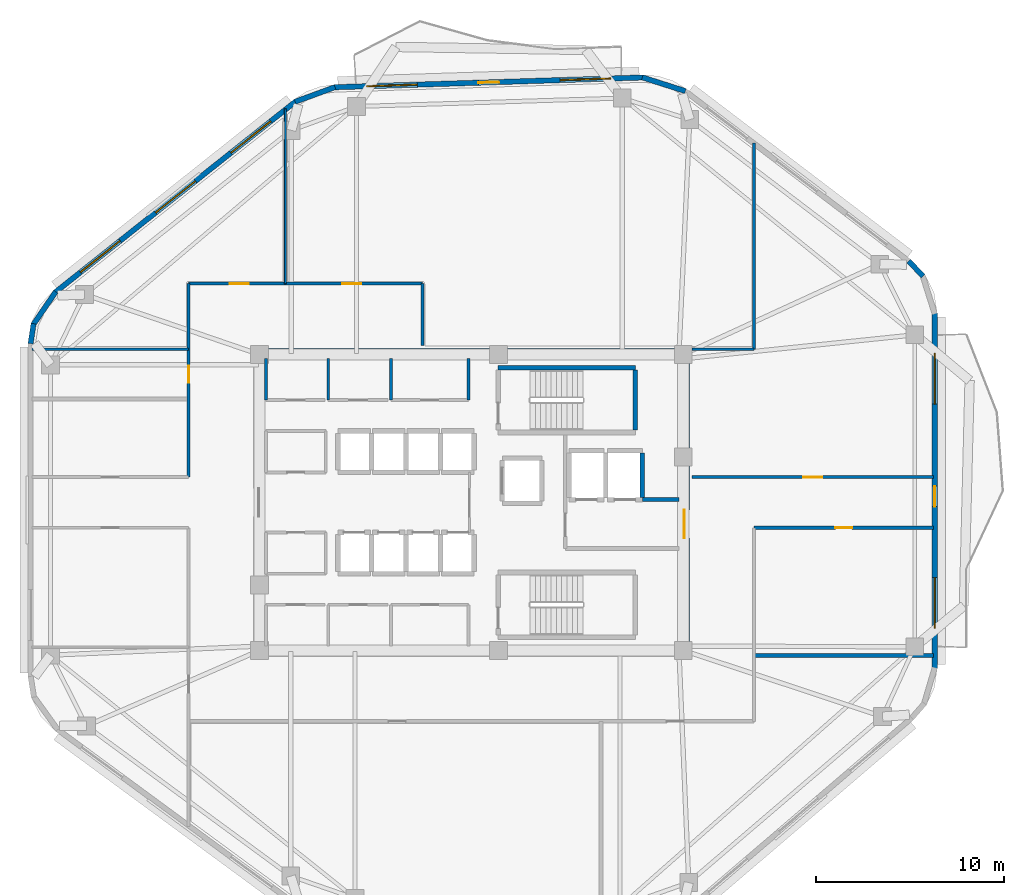
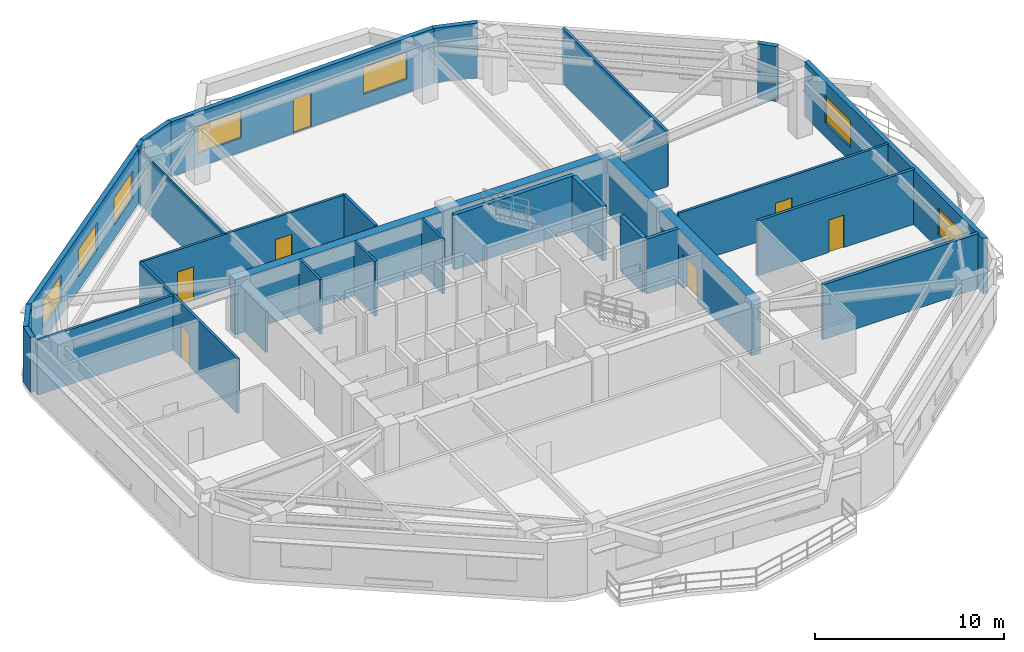
# One storey, part 5 of 8: 28 walls, 8 doors, 7 windows, 15 openings.
"""IFC4 building model written with IfcOpenShell, lengths in metres."""

from ifc_helpers import new_model, si_unit, direction, frame, frame_2d, origin, place, context, subcontext, project, spatial, rectangle, extrude, material, layer, layer_set, type_object, element, fill, save


model = new_model("IFC4")

# Units and contexts
model_context = context("Model", 3, precision=1e-05, world=origin(), true_north=direction((0.0, 1.0)))
body_context = subcontext(model_context, "Body", "Model", "MODEL_VIEW")
ifc_project = project(units=[si_unit("LENGTHUNIT", "METRE"), si_unit("AREAUNIT", "SQUARE_METRE"), si_unit("VOLUMEUNIT", "CUBIC_METRE"), si_unit("PLANEANGLEUNIT", "RADIAN"), si_unit("MASSUNIT", "GRAM", prefix="KILO")], contexts=[model_context])

# Site, building, storey
site_placement = place(None, origin())
site = spatial("IfcSite", under=ifc_project, at=site_placement, CompositionType="ELEMENT")
building_placement = place(site_placement, origin())
building = spatial("IfcBuilding", under=site, at=building_placement, Name="Zulverin Broadcast Headquarters", CompositionType="ELEMENT")
storey_placement = place(building_placement, frame((0.0, 0.0, 163.0)))
storey = spatial("IfcBuildingStorey", under=building, at=storey_placement, Name="L41", CompositionType="ELEMENT", Elevation=163.0)

# Walls
ifc_material_1 = material(Name="Acoustic drywall steel stud", Category="steel")
ifc_layer_1 = layer(ifc_material_1, 0.199951171875, Name="Acoustic drywall steel stud", Category="steel")
ifc_layer_set_1 = layer_set([ifc_layer_1], Name="Acoustic drywall steel stud")
wall_type_1 = type_object("IfcWallType", Name="WL-ACOU-200", PredefinedType="PARTITIONING", material=ifc_layer_set_1)
wall_1_placement = place(storey_placement, frame((52.050048828125, 17.050048828125, 0.0), z_axis=(0.0, 0.0, 1.0), x_axis=(1.0, 0.0, 0.0)))
element("IfcWall", 1, at=wall_1_placement, inside=storey, type_object=wall_type_1, Name="L41 Room Partition Wall RP-09", PredefinedType="PARTITIONING", context=body_context, shape_type="SweptSolid", body=[
    extrude(rectangle(XDim=9.544921875, YDim=0.199951171875, at=frame_2d((4.7724609375, 0.0))), origin(), (0.0, 0.0, 1.0), 3.5400390625),
])
ifc_material_2 = material(Name="Concrete C60/75", Category="concrete")
ifc_layer_2 = layer(ifc_material_2, 0.550048828125, Name="Concrete C60/75", Category="concrete")
ifc_layer_set_2 = layer_set([ifc_layer_2], Name="Concrete C60/75")
wall_type_2 = type_object("IfcWallType", Name="WL-CORE-550", PredefinedType="SHEAR", material=ifc_layer_set_2)
wall_2_placement = place(storey_placement, frame((25.39990234375, 33.125, 0.0), z_axis=(0.0, 0.0, 1.0), x_axis=(1.0, 0.0, 0.0)))
element("IfcWall", 2, at=wall_2_placement, inside=storey, type_object=wall_type_2, Name="L41 Core North Shear Wall", PredefinedType="SHEAR", context=body_context, shape_type="SweptSolid", body=[
    extrude(rectangle(XDim=23.2001953125, YDim=0.550048828125, at=frame_2d((11.60009765625, 0.0))), origin(), (0.0, 0.0, 1.0), 3.5400390625),
])

# Wall, opening, door
wall_3_placement = place(storey_placement, frame((48.324951171875, 17.550048828125, 0.0), z_axis=(0.0, 0.0, 1.0), x_axis=(0.0, 1.0, 0.0)))
wall_3 = element("IfcWall", 3, at=wall_3_placement, inside=storey, type_object=wall_type_2, Name="L41 Core East Shear Wall", PredefinedType="SHEAR", context=body_context, shape_type="SweptSolid", body=[
    extrude(rectangle(XDim=15.300048828125, YDim=0.550048828125, at=frame_2d((7.64990234375, 0.0))), origin(), (0.0, 0.0, 1.0), 3.5400390625),
])
opening_1_placement = place(wall_3_placement, frame((5.75, 0.0, 0.0)))
opening_1 = element("IfcOpeningElement", 4, at=opening_1_placement, cuts=wall_3, Name="Opening D-L41-CE1", PredefinedType="OPENING", context=body_context, shape_type="SweptSolid", body=[
    extrude(rectangle(XDim=1.5, YDim=2.14990234375, at=frame_2d((0.75, 1.074951171875))), frame((0.0, 0.284912109375, 0.0), z_axis=(0.0, -1.0, 0.0), x_axis=(1.0, 0.0, 0.0)), (0.0, 0.0, 1.0), 0.570068359375),
])
ifc_material_3 = material(Name="Fire-rated glazed steel frame", Category="steel")
door_type_1 = type_object("IfcDoorType", Name="DR-COR-1500", OperationType="DOUBLE_DOOR_SINGLE_SWING", PredefinedType="DOOR", material=ifc_material_3)
door_1_placement = place(opening_1_placement, origin())
door_1 = element("IfcDoor", 5, at=door_1_placement, inside=storey, type_object=door_type_1, Name="L41 Firefighting Lobby East Corridor Door", OperationType="DOUBLE_DOOR_SINGLE_SWING", OverallHeight=2.14990234375, OverallWidth=1.5, PredefinedType="DOOR", context=body_context, shape_type="SweptSolid", body=[
    extrude(rectangle(XDim=1.5, YDim=2.14990234375, at=frame_2d((0.75, 1.074951171875))), frame((0.0, 0.02490234375, 0.0), z_axis=(0.0, -1.0, 0.0), x_axis=(1.0, 0.0, 0.0)), (0.0, 0.0, 1.0), 0.050048828125),
])
fill(opening_1, door_1)

# Wall, openings, door, windows
ifc_material_4 = material(Name="Insulated pale-metal clad concrete spandrel C40/50", Category="concrete")
ifc_layer_3 = layer(ifc_material_4, 0.280029296875, Name="Insulated pale-metal clad concrete spandrel C40/50", Category="concrete")
ifc_layer_set_3 = layer_set([ifc_layer_3], Name="Insulated pale-metal clad concrete spandrel C40/50")
wall_type_3 = type_object("IfcWallType", Name="WL-EXT-280", PredefinedType="STANDARD", material=ifc_layer_set_3)
wall_4_placement = place(storey_placement, frame((61.659912109375, 16.369384765625, 0.0), z_axis=(0.0, 0.0, 1.0), x_axis=(0.0, 1.0, 0.0)))
wall_4 = element("IfcWall", 6, at=wall_4_placement, inside=storey, type_object=wall_type_3, Name="L41 Pale-Metal Clad Spandrel Wall 3", PredefinedType="STANDARD", context=body_context, shape_type="SweptSolid", body=[
    extrude(rectangle(XDim=18.902099609375, YDim=0.280029296875, at=frame_2d((9.451171875, 0.0))), origin(), (0.0, 0.0, 1.0), 3.5400390625),
])
opening_2_placement = place(wall_4_placement, frame((8.60107421875, 0.0, 0.0)))
opening_2 = element("IfcOpeningElement", 7, at=opening_2_placement, cuts=wall_4, Name="Opening D-L41-TR3", PredefinedType="OPENING", context=body_context, shape_type="SweptSolid", body=[
    extrude(rectangle(XDim=1.10009765625, YDim=2.199951171875, at=frame_2d((0.550048828125, 1.10009765625))), frame((0.0, 0.14990234375, 0.0), z_axis=(0.0, -1.0, 0.0), x_axis=(1.0, 0.0, 0.0)), (0.0, 0.0, 1.0), 0.300048828125),
])
opening_3_placement = place(wall_4_placement, frame((2.1337890625, 0.0, 0.89990234375)))
opening_3 = element("IfcOpeningElement", 8, at=opening_3_placement, cuts=wall_4, Name="Opening W-L41-E31", PredefinedType="OPENING", context=body_context, shape_type="SweptSolid", body=[
    extrude(rectangle(XDim=2.699951171875, YDim=1.75, at=frame_2d((1.35009765625, 0.875))), frame((0.0, 0.14990234375, 0.0), z_axis=(0.0, -1.0, 0.0), x_axis=(1.0, 0.0, 0.0)), (0.0, 0.0, 1.0), 0.300048828125),
])
opening_4_placement = place(wall_4_placement, frame((14.068603515625, 0.0, 0.89990234375)))
opening_4 = element("IfcOpeningElement", 9, at=opening_4_placement, cuts=wall_4, Name="Opening W-L41-E32", PredefinedType="OPENING", context=body_context, shape_type="SweptSolid", body=[
    extrude(rectangle(XDim=2.699951171875, YDim=1.75, at=frame_2d((1.35009765625, 0.875))), frame((0.0, 0.14990234375, 0.0), z_axis=(0.0, -1.0, 0.0), x_axis=(1.0, 0.0, 0.0)), (0.0, 0.0, 1.0), 0.300048828125),
])
ifc_material_5 = material(Name="Thermally broken aluminium glazed", Category="aluminium")
door_type_2 = type_object("IfcDoorType", Name="DR-TERR-1100", OperationType="SINGLE_SWING_RIGHT", PredefinedType="DOOR", material=ifc_material_5)
door_2_placement = place(opening_2_placement, origin())
door_2 = element("IfcDoor", 10, at=door_2_placement, inside=storey, type_object=door_type_2, Name="L41 Planted Terrace Glazed Access Door 3", OperationType="SINGLE_SWING_RIGHT", OverallHeight=2.199951171875, OverallWidth=1.10009765625, PredefinedType="DOOR", context=body_context, shape_type="SweptSolid", body=[
    extrude(rectangle(XDim=1.10009765625, YDim=2.199951171875, at=frame_2d((0.550048828125, 1.10009765625))), frame((0.0, 0.02490234375, 0.0), z_axis=(0.0, -1.0, 0.0), x_axis=(1.0, 0.0, 0.0)), (0.0, 0.0, 1.0), 0.050048828125),
])
fill(opening_2, door_2)
ifc_material_6 = material(Name="Pale anodized aluminium frame with solar-control low-E double glazing", Category="aluminium")
window_type = type_object("IfcWindowType", Name="WIN-TWR-2700", PartitioningType="SINGLE_PANEL", PredefinedType="WINDOW", material=ifc_material_6)
window_1_placement = place(opening_3_placement, origin())
window_1 = element("IfcWindow", 11, at=window_1_placement, inside=storey, type_object=window_type, Name="L41 Ribbon Glazing Window 3 1", OverallHeight=1.75, OverallWidth=2.699951171875, PartitioningType="SINGLE_PANEL", PredefinedType="WINDOW", context=body_context, shape_type="SweptSolid", body=[
    extrude(rectangle(XDim=2.699951171875, YDim=1.75, at=frame_2d((1.35009765625, 0.875))), frame((0.0, 0.030029296875, 0.0), z_axis=(0.0, -1.0, 0.0), x_axis=(1.0, 0.0, 0.0)), (0.0, 0.0, 1.0), 0.06005859375),
])
fill(opening_3, window_1)
window_2_placement = place(opening_4_placement, origin())
window_2 = element("IfcWindow", 12, at=window_2_placement, inside=storey, type_object=window_type, Name="L41 Ribbon Glazing Window 3 2", OverallHeight=1.75, OverallWidth=2.699951171875, PartitioningType="SINGLE_PANEL", PredefinedType="WINDOW", context=body_context, shape_type="SweptSolid", body=[
    extrude(rectangle(XDim=2.699951171875, YDim=1.75, at=frame_2d((1.35009765625, 0.875))), frame((0.0, 0.030029296875, 0.0), z_axis=(0.0, -1.0, 0.0), x_axis=(1.0, 0.0, 0.0)), (0.0, 0.0, 1.0), 0.06005859375),
])
fill(opening_4, window_2)

wall_5_placement = place(storey_placement, frame((46.143310546875, 47.819580078125, 0.0), z_axis=(0.0, 0.0, 1.0), x_axis=(-0.999497065256, -0.031711457627, 0.0)))
wall_5 = element("IfcWall", 13, at=wall_5_placement, inside=storey, type_object=wall_type_3, Name="L41 Pale-Metal Clad Spandrel Wall 5", PredefinedType="STANDARD", context=body_context, shape_type="SweptSolid", body=[
    extrude(rectangle(XDim=16.452392578125, YDim=0.280029296875, at=frame_2d((8.22607421875, 0.0))), origin(), (0.0, 0.0, 1.0), 3.5400390625),
])
opening_5_placement = place(wall_5_placement, frame((7.67626953125, 0.0, 0.0)))
opening_5 = element("IfcOpeningElement", 14, at=opening_5_placement, cuts=wall_5, Name="Opening D-L41-TR5", PredefinedType="OPENING", context=body_context, shape_type="SweptSolid", body=[
    extrude(rectangle(XDim=1.10009765625, YDim=2.199951171875, at=frame_2d((0.550048828125, 1.10009765625))), frame((0.0, 0.14990234375, 0.0), z_axis=(0.0, -1.0, 0.0), x_axis=(1.0, 0.0, 0.0)), (0.0, 0.0, 1.0), 0.300048828125),
])
opening_6_placement = place(wall_5_placement, frame((1.725341796875, 0.0, 0.89990234375)))
opening_6 = element("IfcOpeningElement", 15, at=opening_6_placement, cuts=wall_5, Name="Opening W-L41-E51", PredefinedType="OPENING", context=body_context, shape_type="SweptSolid", body=[
    extrude(rectangle(XDim=2.699951171875, YDim=1.75, at=frame_2d((1.35009765625, 0.875))), frame((0.0, 0.14990234375, 0.0), z_axis=(0.0, -1.0, 0.0), x_axis=(1.0, 0.0, 0.0)), (0.0, 0.0, 1.0), 0.300048828125),
])
opening_7_placement = place(wall_5_placement, frame((12.027099609375, 0.0, 0.89990234375)))
opening_7 = element("IfcOpeningElement", 16, at=opening_7_placement, cuts=wall_5, Name="Opening W-L41-E52", PredefinedType="OPENING", context=body_context, shape_type="SweptSolid", body=[
    extrude(rectangle(XDim=2.699951171875, YDim=1.75, at=frame_2d((1.35009765625, 0.875))), frame((0.0, 0.14990234375, 0.0), z_axis=(0.0, -1.0, 0.0), x_axis=(1.0, 0.0, 0.0)), (0.0, 0.0, 1.0), 0.300048828125),
])
door_3_placement = place(opening_5_placement, origin())
door_3 = element("IfcDoor", 17, at=door_3_placement, inside=storey, type_object=door_type_2, Name="L41 Planted Terrace Glazed Access Door 5", OperationType="SINGLE_SWING_RIGHT", OverallHeight=2.199951171875, OverallWidth=1.10009765625, PredefinedType="DOOR", context=body_context, shape_type="SweptSolid", body=[
    extrude(rectangle(XDim=1.10009765625, YDim=2.199951171875, at=frame_2d((0.550048828125, 1.10009765625))), frame((0.0, 0.02490234375, 0.0), z_axis=(0.0, -1.0, 0.0), x_axis=(1.0, 0.0, 0.0)), (0.0, 0.0, 1.0), 0.050048828125),
])
fill(opening_5, door_3)
window_3_placement = place(opening_6_placement, origin())
window_3 = element("IfcWindow", 18, at=window_3_placement, inside=storey, type_object=window_type, Name="L41 Ribbon Glazing Window 5 1", OverallHeight=1.75, OverallWidth=2.699951171875, PartitioningType="SINGLE_PANEL", PredefinedType="WINDOW", context=body_context, shape_type="SweptSolid", body=[
    extrude(rectangle(XDim=2.699951171875, YDim=1.75, at=frame_2d((1.35009765625, 0.875))), frame((0.0, 0.030029296875, 0.0), z_axis=(0.0, -1.0, 0.0), x_axis=(1.0, 0.0, 0.0)), (0.0, 0.0, 1.0), 0.06005859375),
])
fill(opening_6, window_3)
window_4_placement = place(opening_7_placement, origin())
window_4 = element("IfcWindow", 19, at=window_4_placement, inside=storey, type_object=window_type, Name="L41 Ribbon Glazing Window 5 2", OverallHeight=1.75, OverallWidth=2.699951171875, PartitioningType="SINGLE_PANEL", PredefinedType="WINDOW", context=body_context, shape_type="SweptSolid", body=[
    extrude(rectangle(XDim=2.699951171875, YDim=1.75, at=frame_2d((1.35009765625, 0.875))), frame((0.0, 0.030029296875, 0.0), z_axis=(0.0, -1.0, 0.0), x_axis=(1.0, 0.0, 0.0)), (0.0, 0.0, 1.0), 0.06005859375),
])
fill(opening_7, window_4)

# Wall, openings, windows
wall_6_placement = place(storey_placement, frame((27.657958984375, 46.5498046875, 0.0), z_axis=(0.0, 0.0, 1.0), x_axis=(-0.783266285861, -0.621686356158, 0.0)))
wall_6 = element("IfcWall", 20, at=wall_6_placement, inside=storey, type_object=wall_type_3, Name="L41 Pale-Metal Clad Spandrel Wall 6", PredefinedType="STANDARD", context=body_context, shape_type="SweptSolid", body=[
    extrude(rectangle(XDim=16.35302734375, YDim=0.280029296875, at=frame_2d((8.176513671875, 0.0))), origin(), (0.0, 0.0, 1.0), 3.5400390625),
])
opening_8_placement = place(wall_6_placement, frame((1.708740234375, 0.0, 0.89990234375)))
opening_8 = element("IfcOpeningElement", 21, at=opening_8_placement, cuts=wall_6, Name="Opening W-L41-E61", PredefinedType="OPENING", context=body_context, shape_type="SweptSolid", body=[
    extrude(rectangle(XDim=2.699951171875, YDim=1.75, at=frame_2d((1.35009765625, 0.875))), frame((0.0, 0.14990234375, 0.0), z_axis=(0.0, -1.0, 0.0), x_axis=(1.0, 0.0, 0.0)), (0.0, 0.0, 1.0), 0.300048828125),
])
opening_9_placement = place(wall_6_placement, frame((6.826416015625, 0.0, 0.89990234375)))
opening_9 = element("IfcOpeningElement", 22, at=opening_9_placement, cuts=wall_6, Name="Opening W-L41-E62", PredefinedType="OPENING", context=body_context, shape_type="SweptSolid", body=[
    extrude(rectangle(XDim=2.699951171875, YDim=1.75, at=frame_2d((1.35009765625, 0.875))), frame((0.0, 0.14990234375, 0.0), z_axis=(0.0, -1.0, 0.0), x_axis=(1.0, 0.0, 0.0)), (0.0, 0.0, 1.0), 0.300048828125),
])
opening_10_placement = place(wall_6_placement, frame((11.944091796875, 0.0, 0.89990234375)))
opening_10 = element("IfcOpeningElement", 23, at=opening_10_placement, cuts=wall_6, Name="Opening W-L41-E63", PredefinedType="OPENING", context=body_context, shape_type="SweptSolid", body=[
    extrude(rectangle(XDim=2.699951171875, YDim=1.75, at=frame_2d((1.35009765625, 0.875))), frame((0.0, 0.14990234375, 0.0), z_axis=(0.0, -1.0, 0.0), x_axis=(1.0, 0.0, 0.0)), (0.0, 0.0, 1.0), 0.300048828125),
])
window_5_placement = place(opening_8_placement, origin())
window_5 = element("IfcWindow", 24, at=window_5_placement, inside=storey, type_object=window_type, Name="L41 Ribbon Glazing Window 6 1", OverallHeight=1.75, OverallWidth=2.699951171875, PartitioningType="SINGLE_PANEL", PredefinedType="WINDOW", context=body_context, shape_type="SweptSolid", body=[
    extrude(rectangle(XDim=2.699951171875, YDim=1.75, at=frame_2d((1.35009765625, 0.875))), frame((0.0, 0.030029296875, 0.0), z_axis=(0.0, -1.0, 0.0), x_axis=(1.0, 0.0, 0.0)), (0.0, 0.0, 1.0), 0.06005859375),
])
fill(opening_8, window_5)
window_6_placement = place(opening_9_placement, origin())
window_6 = element("IfcWindow", 25, at=window_6_placement, inside=storey, type_object=window_type, Name="L41 Ribbon Glazing Window 6 2", OverallHeight=1.75, OverallWidth=2.699951171875, PartitioningType="SINGLE_PANEL", PredefinedType="WINDOW", context=body_context, shape_type="SweptSolid", body=[
    extrude(rectangle(XDim=2.699951171875, YDim=1.75, at=frame_2d((1.35009765625, 0.875))), frame((0.0, 0.030029296875, 0.0), z_axis=(0.0, -1.0, 0.0), x_axis=(1.0, 0.0, 0.0)), (0.0, 0.0, 1.0), 0.06005859375),
])
fill(opening_9, window_6)
window_7_placement = place(opening_10_placement, origin())
window_7 = element("IfcWindow", 26, at=window_7_placement, inside=storey, type_object=window_type, Name="L41 Ribbon Glazing Window 6 3", OverallHeight=1.75, OverallWidth=2.699951171875, PartitioningType="SINGLE_PANEL", PredefinedType="WINDOW", context=body_context, shape_type="SweptSolid", body=[
    extrude(rectangle(XDim=2.699951171875, YDim=1.75, at=frame_2d((1.35009765625, 0.875))), frame((0.0, 0.030029296875, 0.0), z_axis=(0.0, -1.0, 0.0), x_axis=(1.0, 0.0, 0.0)), (0.0, 0.0, 1.0), 0.06005859375),
])
fill(opening_10, window_7)

# Walls
wall_7_placement = place(storey_placement, frame((61.04248046875, 37.247314453125, 0.0), z_axis=(0.0, 0.0, 1.0), x_axis=(-0.694004126367, 0.719971022045, 0.0)))
element("IfcWall", 27, at=wall_7_placement, inside=storey, type_object=wall_type_3, Name="L41 Wind-Shaped Corner Spandrel Wall 3-2", PredefinedType="STANDARD", context=body_context, shape_type="SweptSolid", body=[
    extrude(rectangle(XDim=1.10009765625, YDim=0.280029296875, at=frame_2d((0.550048828125, 0.0))), origin(), (0.0, 0.0, 1.0), 3.5400390625),
])
wall_8_placement = place(storey_placement, frame((48.390380859375, 47.093017578125, 0.0), z_axis=(0.0, 0.0, 1.0), x_axis=(-0.952542948918, 0.304404222156, 0.0)))
element("IfcWall", 28, at=wall_8_placement, inside=storey, type_object=wall_type_3, Name="L41 Wind-Shaped Corner Spandrel Wall 4-1", PredefinedType="STANDARD", context=body_context, shape_type="SweptSolid", body=[
    extrude(rectangle(XDim=2.408447265625, YDim=0.280029296875, at=frame_2d((1.2041015625, 0.0))), origin(), (0.0, 0.0, 1.0), 3.5400390625),
])
wall_9_placement = place(storey_placement, frame((29.742919921875, 47.306396484375, 0.0), z_axis=(0.0, 0.0, 1.0), x_axis=(-0.93893328381, -0.344099242302, 0.0)))
element("IfcWall", 29, at=wall_9_placement, inside=storey, type_object=wall_type_3, Name="L41 Wind-Shaped Corner Spandrel Wall 5-1", PredefinedType="STANDARD", context=body_context, shape_type="SweptSolid", body=[
    extrude(rectangle(XDim=2.261962890625, YDim=0.280029296875, at=frame_2d((1.130859375, 0.0))), origin(), (0.0, 0.0, 1.0), 3.5400390625),
])
wall_10_placement = place(storey_placement, frame((14.877685546875, 36.4140625, 0.0), z_axis=(0.0, 0.0, 1.0), x_axis=(-0.564564614133, -0.825388875906, 0.0)))
element("IfcWall", 30, at=wall_10_placement, inside=storey, type_object=wall_type_3, Name="L41 Wind-Shaped Corner Spandrel Wall 6-1", PredefinedType="STANDARD", context=body_context, shape_type="SweptSolid", body=[
    extrude(rectangle(XDim=2.127685546875, YDim=0.280029296875, at=frame_2d((1.06396484375, 0.0))), origin(), (0.0, 0.0, 1.0), 3.5400390625),
])
wall_11_placement = place(storey_placement, frame((13.69921875, 34.716064453125, 0.0), z_axis=(0.0, 0.0, 1.0), x_axis=(-0.149549920187, -0.988754176412, 0.0)))
element("IfcWall", 31, at=wall_11_placement, inside=storey, type_object=wall_type_3, Name="L41 Wind-Shaped Corner Spandrel Wall 6-2", PredefinedType="STANDARD", context=body_context, shape_type="SweptSolid", body=[
    extrude(rectangle(XDim=1.075927734375, YDim=0.280029296875, at=frame_2d((0.5380859375, 0.0))), origin(), (0.0, 0.0, 1.0), 3.5400390625),
])
ifc_material_7 = material(Name="Concrete C40/50", Category="concrete")
ifc_layer_4 = layer(ifc_material_7, 0.199951171875, Name="Concrete C40/50", Category="concrete")
ifc_layer_set_4 = layer_set([ifc_layer_4], Name="Concrete C40/50")
wall_type_4 = type_object("IfcWallType", Name="WL-FFL-200", PredefinedType="SOLIDWALL", material=ifc_layer_set_4)
wall_12_placement = place(storey_placement, frame((46.10009765625, 25.35009765625, 0.0), z_axis=(0.0, 0.0, 1.0), x_axis=(1.0, 0.0, 0.0)))
element("IfcWall", 32, at=wall_12_placement, inside=storey, type_object=wall_type_4, Name="L41 Firefighting Lift Lobby North Wall", PredefinedType="SOLIDWALL", context=body_context, shape_type="SweptSolid", body=[
    extrude(rectangle(XDim=1.949951171875, YDim=0.199951171875, at=frame_2d((0.97509765625, 0.0))), origin(), (0.0, 0.0, 1.0), 3.5400390625),
])
ifc_material_8 = material(Name="Fire-rated acoustic laminated glass screen", Category="glass")
ifc_layer_5 = layer(ifc_material_8, 0.10009765625, Name="Fire-rated acoustic laminated glass screen", Category="glass")
ifc_layer_set_5 = layer_set([ifc_layer_5], Name="Fire-rated acoustic laminated glass screen")
wall_type_5 = type_object("IfcWallType", Name="WL-GLAZ-100", PredefinedType="PARTITIONING", material=ifc_layer_set_5)
wall_13_placement = place(storey_placement, frame((27.10009765625, 36.85009765625, 0.0), z_axis=(0.0, 0.0, 1.0), x_axis=(0.0, 1.0, 0.0)))
element("IfcWall", 33, at=wall_13_placement, inside=storey, type_object=wall_type_5, Name="L41 Room Partition Wall RP-05", PredefinedType="PARTITIONING", context=body_context, shape_type="SweptSolid", body=[
    extrude(rectangle(XDim=9.29541015625, YDim=0.10009765625, at=frame_2d((4.647705078125, 0.0))), origin(), (0.0, 0.0, 1.0), 3.5400390625),
])
ifc_material_9 = material(Name="Fire-rated gypsum stud partition", Category="gypsum")
ifc_layer_6 = layer(ifc_material_9, 0.14990234375, Name="Fire-rated gypsum stud partition", Category="gypsum")
ifc_layer_set_6 = layer_set([ifc_layer_6], Name="Fire-rated gypsum stud partition")
wall_type_6 = type_object("IfcWallType", Name="WL-PART-150", PredefinedType="PARTITIONING", material=ifc_layer_set_6)
wall_14_placement = place(storey_placement, frame((26.070068359375, 30.64990234375, 0.0), z_axis=(0.0, 0.0, 1.0), x_axis=(0.0, 1.0, 0.0)))
element("IfcWall", 34, at=wall_14_placement, inside=storey, type_object=wall_type_6, Name="L41 Core Male WC West Wall", PredefinedType="PARTITIONING", context=body_context, shape_type="SweptSolid", body=[
    extrude(rectangle(XDim=2.2001953125, YDim=0.14990234375, at=frame_2d((1.10009765625, 0.0))), origin(), (0.0, 0.0, 1.0), 2.639892578125),
])
for number, where, z_axis, x_axis, name in (
    (35, (29.3798828125, 30.64990234375, 0.0), (0.0, 0.0, 1.0), (0.0, 1.0, 0.0), "L41 Core Accessible WC West Wall"),
    (36, (32.72998046875, 30.64990234375, 0.0), (0.0, 0.0, 1.0), (0.0, 1.0, 0.0), "L41 Core Electrical Distribution Riser West Wall"),
    (37, (36.85009765625, 30.64990234375, 0.0), (0.0, 0.0, 1.0), (0.0, 1.0, 0.0), "L41 Core Electrical Distribution Riser East Wall"),
):
    element("IfcWall", number, at=place(storey_placement, frame(where, z_axis=z_axis, x_axis=x_axis)), inside=storey, type_object=wall_type_6, Name=name, PredefinedType="PARTITIONING", context=body_context, shape_type="SweptSolid", body=[
        extrude(rectangle(XDim=2.2001953125, YDim=0.14990234375, at=frame_2d((1.10009765625, 0.0))), origin(), (0.0, 0.0, 1.0), 3.5400390625),
    ])
wall_15_placement = place(storey_placement, frame((52.050048828125, 33.3515625, 0.0), z_axis=(0.0, 0.0, 1.0), x_axis=(0.0, 1.0, 0.0)))
element("IfcWall", 38, at=wall_15_placement, inside=storey, type_object=wall_type_6, Name="L41 Room Partition Wall RP-02", PredefinedType="PARTITIONING", context=body_context, shape_type="SweptSolid", body=[
    extrude(rectangle(XDim=10.982666015625, YDim=0.14990234375, at=frame_2d((5.4912109375, 0.0))), origin(), (0.0, 0.0, 1.0), 3.5400390625),
])

# Wall, opening, door
wall_16_placement = place(storey_placement, frame((21.949951171875, 26.550048828125, 0.0), z_axis=(0.0, 0.0, 1.0), x_axis=(0.0, 1.0, 0.0)))
wall_16 = element("IfcWall", 39, at=wall_16_placement, inside=storey, type_object=wall_type_6, Name="L41 Gallery Partition Wall CG-07", PredefinedType="PARTITIONING", context=body_context, shape_type="SweptSolid", body=[
    extrude(rectangle(XDim=10.300048828125, YDim=0.14990234375, at=frame_2d((5.14990234375, 0.0))), origin(), (0.0, 0.0, 1.0), 3.5400390625),
])
opening_11_placement = place(wall_16_placement, frame((5.02490234375, 0.0, 0.0)))
opening_11 = element("IfcOpeningElement", 40, at=opening_11_placement, cuts=wall_16, Name="Opening D-L41-08", PredefinedType="OPENING", context=body_context, shape_type="SweptSolid", body=[
    extrude(rectangle(XDim=0.89990234375, YDim=2.10009765625, at=frame_2d((0.449951171875, 1.050048828125))), frame((0.0, 0.0849609375, 0.0), z_axis=(0.0, -1.0, 0.0), x_axis=(1.0, 0.0, 0.0)), (0.0, 0.0, 1.0), 0.169921875),
])
ifc_material_10 = material(Name="Fire-rated hardwood veneer timber leaf", Category="wood")
door_type_3 = type_object("IfcDoorType", Name="DR-ROOM-900", OperationType="SINGLE_SWING_RIGHT", PredefinedType="DOOR", material=ifc_material_10)
door_4_placement = place(opening_11_placement, origin())
door_4 = element("IfcDoor", 41, at=door_4_placement, inside=storey, type_object=door_type_3, Name="L41 Tea Pantry Door", OperationType="SINGLE_SWING_LEFT", OverallHeight=2.10009765625, OverallWidth=0.89990234375, PredefinedType="DOOR", context=body_context, shape_type="SweptSolid", body=[
    extrude(rectangle(XDim=0.89990234375, YDim=2.10009765625, at=frame_2d((0.449951171875, 1.050048828125))), frame((0.0, 0.02490234375, 0.0), z_axis=(0.0, -1.0, 0.0), x_axis=(1.0, 0.0, 0.0)), (0.0, 0.0, 1.0), 0.050048828125),
])
fill(opening_11, door_4)

wall_17_placement = place(storey_placement, frame((48.739990234375, 26.550048828125, 0.0), z_axis=(0.0, 0.0, 1.0), x_axis=(1.0, 0.0, 0.0)))
wall_17 = element("IfcWall", 42, at=wall_17_placement, inside=storey, type_object=wall_type_6, Name="L41 Gallery Partition Wall CG-14", PredefinedType="PARTITIONING", context=body_context, shape_type="SweptSolid", body=[
    extrude(rectangle(XDim=12.85498046875, YDim=0.14990234375, at=frame_2d((6.427490234375, 0.0))), origin(), (0.0, 0.0, 1.0), 3.5400390625),
])
opening_12_placement = place(wall_17_placement, frame((5.927490234375, 0.0, 0.0)))
opening_12 = element("IfcOpeningElement", 43, at=opening_12_placement, cuts=wall_17, Name="Opening D-L41-10", PredefinedType="OPENING", context=body_context, shape_type="SweptSolid", body=[
    extrude(rectangle(XDim=1.0, YDim=2.1201171875, at=frame_2d((0.5, 1.06005859375))), frame((0.0, 0.0849609375, 0.0), z_axis=(0.0, -1.0, 0.0), x_axis=(1.0, 0.0, 0.0)), (0.0, 0.0, 1.0), 0.169921875),
])
ifc_material_11 = material(Name="Hardwood veneer acoustic leaf", Category="wood")
door_type_4 = type_object("IfcDoorType", Name="DR-OFF-1000", OperationType="SINGLE_SWING_LEFT", PredefinedType="DOOR", material=ifc_material_11)
door_5_placement = place(opening_12_placement, origin())
door_5 = element("IfcDoor", 44, at=door_5_placement, inside=storey, type_object=door_type_4, Name="L41 International Bureau Office Door", OperationType="SINGLE_SWING_LEFT", OverallHeight=2.1201171875, OverallWidth=1.0, PredefinedType="DOOR", context=body_context, shape_type="SweptSolid", body=[
    extrude(rectangle(XDim=1.0, YDim=2.1201171875, at=frame_2d((0.5, 1.06005859375))), frame((0.0, 0.02490234375, 0.0), z_axis=(0.0, -1.0, 0.0), x_axis=(1.0, 0.0, 0.0)), (0.0, 0.0, 1.0), 0.050048828125),
])
fill(opening_12, door_5)

# Walls
wall_18_placement = place(storey_placement, frame((13.60498046875, 33.35009765625, 0.0), z_axis=(0.0, 0.0, 1.0), x_axis=(1.0, 0.0, 0.0)))
element("IfcWall", 45, at=wall_18_placement, inside=storey, type_object=wall_type_6, Name="L41 Room Partition Wall RP-16", PredefinedType="PARTITIONING", context=body_context, shape_type="SweptSolid", body=[
    extrude(rectangle(XDim=8.344970703125, YDim=0.14990234375, at=frame_2d((4.17236328125, 0.0))), origin(), (0.0, 0.0, 1.0), 3.5400390625),
])
wall_19_placement = place(storey_placement, frame((48.739990234375, 33.35009765625, 0.0), z_axis=(0.0, 0.0, 1.0), x_axis=(1.0, 0.0, 0.0)))
element("IfcWall", 46, at=wall_19_placement, inside=storey, type_object=wall_type_6, Name="L41 Room Partition Wall RP-17", PredefinedType="PARTITIONING", context=body_context, shape_type="SweptSolid", body=[
    extrude(rectangle(XDim=3.30859375, YDim=0.14990234375, at=frame_2d((1.654296875, 0.0))), origin(), (0.0, 0.0, 1.0), 2.9228515625),
])

# Wall, openings, doors
wall_20_placement = place(storey_placement, frame((21.949951171875, 36.85009765625, 0.0), z_axis=(0.0, 0.0, 1.0), x_axis=(1.0, 0.0, 0.0)))
wall_20 = element("IfcWall", 47, at=wall_20_placement, inside=storey, type_object=wall_type_6, Name="L41 Gallery Partition Wall CG-18", PredefinedType="PARTITIONING", context=body_context, shape_type="SweptSolid", body=[
    extrude(rectangle(XDim=12.449951171875, YDim=0.14990234375, at=frame_2d((6.22509765625, 0.0))), origin(), (0.0, 0.0, 1.0), 3.5400390625),
])
opening_13_placement = place(wall_20_placement, frame((2.195068359375, 0.0, 0.0)))
opening_13 = element("IfcOpeningElement", 48, at=opening_13_placement, cuts=wall_20, Name="Opening D-L41-01", PredefinedType="OPENING", context=body_context, shape_type="SweptSolid", body=[
    extrude(rectangle(XDim=1.0, YDim=2.1201171875, at=frame_2d((0.5, 1.06005859375))), frame((0.0, 0.0849609375, 0.0), z_axis=(0.0, -1.0, 0.0), x_axis=(1.0, 0.0, 0.0)), (0.0, 0.0, 1.0), 0.169921875),
])
opening_14_placement = place(wall_20_placement, frame((8.179931640625, 0.0, 0.0)))
opening_14 = element("IfcOpeningElement", 49, at=opening_14_placement, cuts=wall_20, Name="Opening D-L41-02", PredefinedType="OPENING", context=body_context, shape_type="SweptSolid", body=[
    extrude(rectangle(XDim=1.0, YDim=2.1201171875, at=frame_2d((0.5, 1.06005859375))), frame((0.0, 0.0849609375, 0.0), z_axis=(0.0, -1.0, 0.0), x_axis=(1.0, 0.0, 0.0)), (0.0, 0.0, 1.0), 0.169921875),
])
door_6_placement = place(opening_13_placement, origin())
door_6 = element("IfcDoor", 50, at=door_6_placement, inside=storey, type_object=door_type_4, Name="L41 International Bureau Office Door", OperationType="SINGLE_SWING_RIGHT", OverallHeight=2.1201171875, OverallWidth=1.0, PredefinedType="DOOR", context=body_context, shape_type="SweptSolid", body=[
    extrude(rectangle(XDim=1.0, YDim=2.1201171875, at=frame_2d((0.5, 1.06005859375))), frame((0.0, 0.02490234375, 0.0), z_axis=(0.0, -1.0, 0.0), x_axis=(1.0, 0.0, 0.0)), (0.0, 0.0, 1.0), 0.050048828125),
])
fill(opening_13, door_6)
door_7_placement = place(opening_14_placement, origin())
door_7 = element("IfcDoor", 51, at=door_7_placement, inside=storey, type_object=door_type_4, Name="L41 Verification Office Door", OperationType="SINGLE_SWING_LEFT", OverallHeight=2.1201171875, OverallWidth=1.0, PredefinedType="DOOR", context=body_context, shape_type="SweptSolid", body=[
    extrude(rectangle(XDim=1.0, YDim=2.1201171875, at=frame_2d((0.5, 1.06005859375))), frame((0.0, 0.02490234375, 0.0), z_axis=(0.0, -1.0, 0.0), x_axis=(1.0, 0.0, 0.0)), (0.0, 0.0, 1.0), 0.050048828125),
])
fill(opening_14, door_7)

# Wall
ifc_material_12 = material(Name="Fire-rated acoustic stud wall", Category="gypsum")
ifc_layer_7 = layer(ifc_material_12, 0.175048828125, Name="Fire-rated acoustic stud wall", Category="gypsum")
ifc_layer_set_7 = layer_set([ifc_layer_7], Name="Fire-rated acoustic stud wall")
wall_type_7 = type_object("IfcWallType", Name="WL-PART-175", PredefinedType="PARTITIONING", material=ifc_layer_set_7)
wall_21_placement = place(storey_placement, frame((34.39990234375, 33.5400390625, 0.0), z_axis=(0.0, 0.0, 1.0), x_axis=(0.0, 1.0, 0.0)))
element("IfcWall", 52, at=wall_21_placement, inside=storey, type_object=wall_type_7, Name="L41 Gallery Partition Wall CG-04", PredefinedType="PARTITIONING", context=body_context, shape_type="SweptSolid", body=[
    extrude(rectangle(XDim=3.31005859375, YDim=0.175048828125, at=frame_2d((1.655029296875, 0.0))), origin(), (0.0, 0.0, 1.0), 3.5400390625),
])

# Wall, opening, door
wall_22_placement = place(storey_placement, frame((52.050048828125, 23.85009765625, 0.0), z_axis=(0.0, 0.0, 1.0), x_axis=(1.0, 0.0, 0.0)))
wall_22 = element("IfcWall", 53, at=wall_22_placement, inside=storey, type_object=wall_type_7, Name="L41 Gallery Partition Wall CG-12", PredefinedType="PARTITIONING", context=body_context, shape_type="SweptSolid", body=[
    extrude(rectangle(XDim=9.544921875, YDim=0.175048828125, at=frame_2d((4.7724609375, 0.0))), origin(), (0.0, 0.0, 1.0), 3.5400390625),
])
opening_15_placement = place(wall_22_placement, frame((4.322509765625, 0.0, 0.0)))
opening_15 = element("IfcOpeningElement", 54, at=opening_15_placement, cuts=wall_22, Name="Opening D-L41-09", PredefinedType="OPENING", context=body_context, shape_type="SweptSolid", body=[
    extrude(rectangle(XDim=0.89990234375, YDim=2.10009765625, at=frame_2d((0.449951171875, 1.050048828125))), frame((0.0, 0.097412109375, 0.0), z_axis=(0.0, -1.0, 0.0), x_axis=(1.0, 0.0, 0.0)), (0.0, 0.0, 1.0), 0.195068359375),
])
door_8_placement = place(opening_15_placement, origin())
door_8 = element("IfcDoor", 55, at=door_8_placement, inside=storey, type_object=door_type_3, Name="L41 Bureau Reception Door", OperationType="SINGLE_SWING_RIGHT", OverallHeight=2.10009765625, OverallWidth=0.89990234375, PredefinedType="DOOR", context=body_context, shape_type="SweptSolid", body=[
    extrude(rectangle(XDim=0.89990234375, YDim=2.10009765625, at=frame_2d((0.449951171875, 1.050048828125))), frame((0.0, 0.02490234375, 0.0), z_axis=(0.0, -1.0, 0.0), x_axis=(1.0, 0.0, 0.0)), (0.0, 0.0, 1.0), 0.050048828125),
])
fill(opening_15, door_8)

# Walls
ifc_material_13 = material(Name="Concrete C50/60", Category="concrete")
ifc_layer_8 = layer(ifc_material_13, 0.25, Name="Concrete C50/60", Category="concrete")
ifc_layer_set_8 = layer_set([ifc_layer_8], Name="Concrete C50/60")
wall_type_8 = type_object("IfcWallType", Name="WL-SHAFT-250", PredefinedType="SHEAR", material=ifc_layer_set_8)
wall_23_placement = place(storey_placement, frame((38.425048828125, 32.375, 0.0), z_axis=(0.0, 0.0, 1.0), x_axis=(1.0, 0.0, 0.0)))
element("IfcWall", 56, at=wall_23_placement, inside=storey, type_object=wall_type_8, Name="L41 ST-1 Enclosure Wall N", PredefinedType="SHEAR", context=body_context, shape_type="SweptSolid", body=[
    extrude(rectangle(XDim=7.300048828125, YDim=0.25, at=frame_2d((3.64990234375, 0.0))), origin(), (0.0, 0.0, 1.0), 3.5400390625),
])
wall_24_placement = place(storey_placement, frame((45.72509765625, 29.050048828125, 0.0), z_axis=(0.0, 0.0, 1.0), x_axis=(0.0, 1.0, 0.0)))
element("IfcWall", 57, at=wall_24_placement, inside=storey, type_object=wall_type_8, Name="L41 ST-1 Enclosure Wall E", PredefinedType="SHEAR", context=body_context, shape_type="SweptSolid", body=[
    extrude(rectangle(XDim=3.199951171875, YDim=0.25, at=frame_2d((1.60009765625, 0.0))), origin(), (0.0, 0.0, 1.0), 3.5400390625),
])
wall_25_placement = place(storey_placement, frame((46.10009765625, 25.469970703125, 0.0), z_axis=(0.0, 0.0, 1.0), x_axis=(0.0, 1.0, 0.0)))
element("IfcWall", 58, at=wall_25_placement, inside=storey, type_object=wall_type_8, Name="L41 Lift FFL-2 Shaft Wall E", PredefinedType="SHEAR", context=body_context, shape_type="SweptSolid", body=[
    extrude(rectangle(XDim=2.360107421875, YDim=0.25, at=frame_2d((1.18017578125, 0.0))), origin(), (0.0, 0.0, 1.0), 3.5400390625),
])

save(model, "model.ifc")
